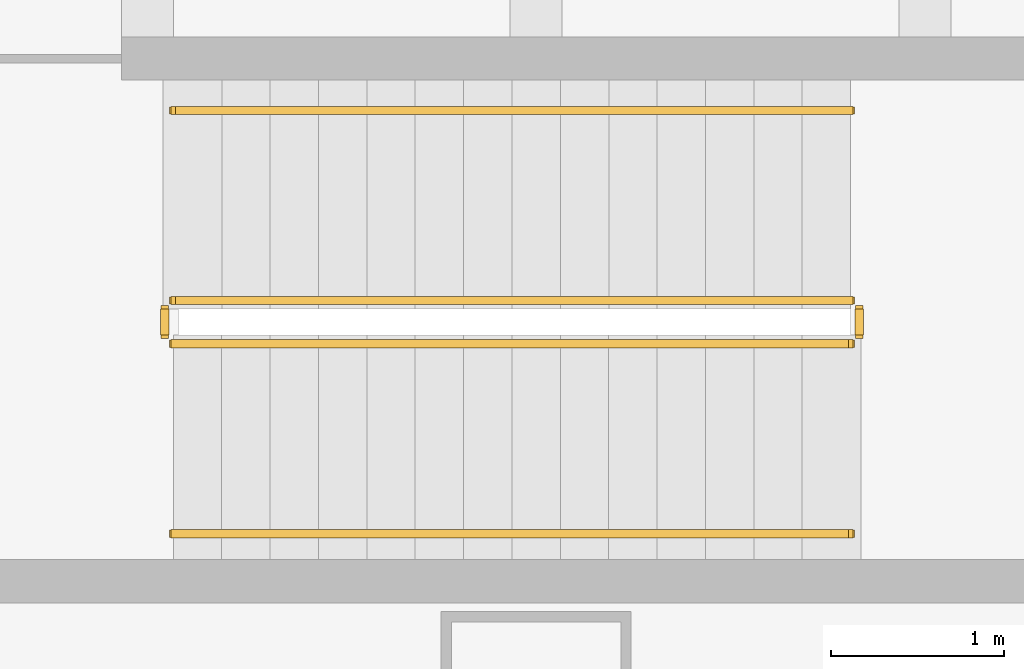
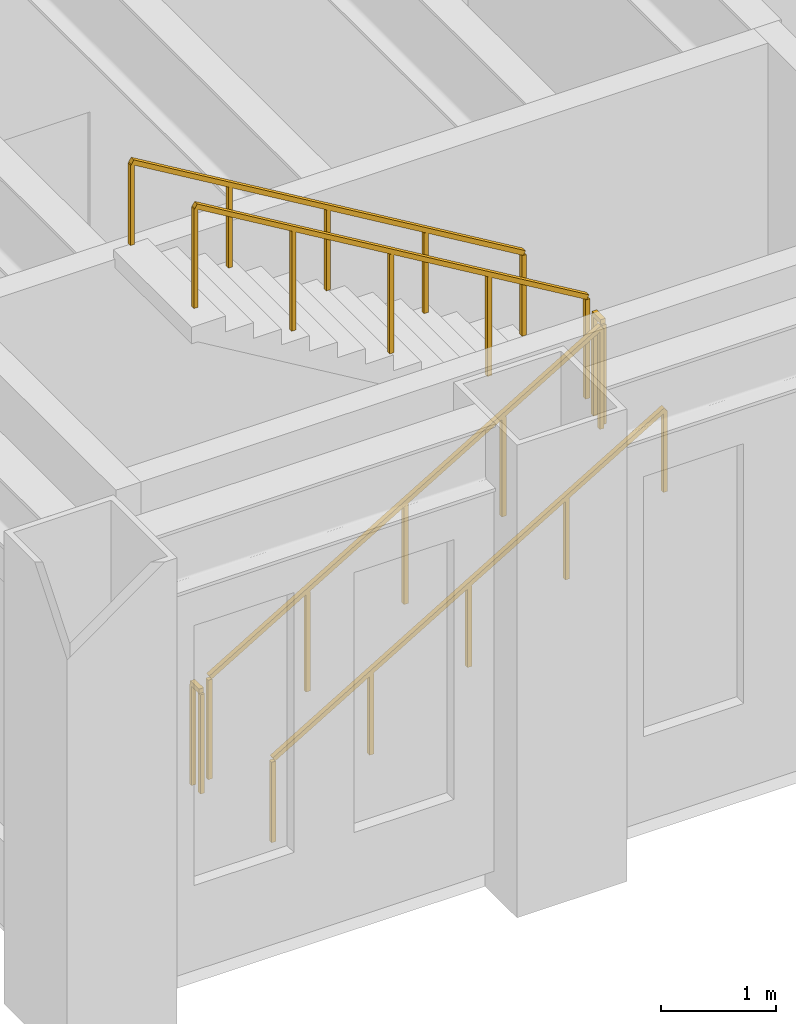
# One storey, part 17 of 19: 6 railings.
"""IFC4 building model written with IfcOpenShell, lengths in metres."""

import ifcopenshell
import ifcopenshell.guid

model = None  # the IFC model being written
_history = None  # IfcOwnerHistory: only IFC2X3 demands one
_inside = {}  # id of a spatial element -> (the spatial element, [elements in it])
_under = {}  # id of a project, library or spatial element -> (it, [spatial elements below it])
_declared = {}  # id of a project -> (the project, [libraries it declares])
_typed = {}  # id of a type object -> (the type object, [elements of that type])
_made_of = {}  # id of a material, layer set ... -> (it, [elements and type objects made of it])


def new_model(schema):
    """Start an empty IFC model of exactly this schema.

    Asked for "IFC4X3", IfcOpenShell would pick the latest addendum, in which some entities
    have other attributes; the version numbers below select the first issue.
    IFC2X3 requires an IfcOwnerHistory on every rooted entity: one is made here for all.
    """
    global model, _history
    if schema == "IFC4X3":
        model = ifcopenshell.file(schema_version=(4, 3, 0, 0))
    else:
        model = ifcopenshell.file(schema=schema)
    _inside.clear()
    _under.clear()
    _declared.clear()
    _typed.clear()
    _made_of.clear()
    _history = None
    if model.schema == "IFC2X3":
        org = make("IfcOrganization", Name="unknown")
        user = make(
            "IfcPersonAndOrganization",
            ThePerson=make("IfcPerson", FamilyName="unknown"),
            TheOrganization=org,
        )
        app = make(
            "IfcApplication",
            ApplicationDeveloper=org,
            Version="unknown",
            ApplicationFullName="unknown",
            ApplicationIdentifier="unknown",
        )
        _history = make(
            "IfcOwnerHistory",
            OwningUser=user,
            OwningApplication=app,
            ChangeAction="ADDED",
            CreationDate=0,
        )
    return model


def make(cls, **values):
    """One entity of the class cls with the attributes given. An attribute that is None is left unset."""
    return model.create_entity(
        cls, **{name: value for name, value in values.items() if value is not None}
    )


def rooted(cls, **values):
    """An entity with a GlobalId (a new one), such as an element, a storey or a relation."""
    return make(cls, GlobalId=ifcopenshell.guid.new(), OwnerHistory=_history, **values)


def si_unit(unit_type, name, prefix=None):
    """IfcSIUnit, for example si_unit("LENGTHUNIT", "METRE", prefix="MILLI")."""
    return make("IfcSIUnit", UnitType=unit_type, Prefix=prefix, Name=name)


def assignment(units):
    """IfcUnitAssignment: the units of a project."""
    return None if units is None else make("IfcUnitAssignment", Units=units)


def point(xyz):
    """IfcCartesianPoint."""
    return None if xyz is None else make("IfcCartesianPoint", Coordinates=xyz)


def direction(xyz):
    """IfcDirection."""
    return None if xyz is None else make("IfcDirection", DirectionRatios=xyz)


def frame(location, z_axis=None, x_axis=None):
    """IfcAxis2Placement3D, a coordinate frame: its origin and axes. An axis left out is left unset."""
    return make(
        "IfcAxis2Placement3D",
        Location=point(location),
        Axis=direction(z_axis),
        RefDirection=direction(x_axis),
    )


def frame_2d(location, x_axis=None):
    """IfcAxis2Placement2D, a coordinate frame in the plane: its origin and x axis."""
    return make(
        "IfcAxis2Placement2D", Location=point(location), RefDirection=direction(x_axis)
    )


def origin():
    """The frame at (0, 0, 0) with its axes left unset."""
    return frame((0.0, 0.0, 0.0))


def origin_2d():
    """The frame at (0, 0) in the plane with its x axis left unset."""
    return frame_2d((0.0, 0.0))


def place(relative_to, where):
    """IfcLocalPlacement: puts the frame where relative to a parent placement (None: the world)."""
    return make(
        "IfcLocalPlacement", PlacementRelTo=relative_to, RelativePlacement=where
    )


def context(
    kind, dimensions, precision=None, world=None, true_north=None, identifier=None
):
    """IfcGeometricRepresentationContext, for example the 3D "Model" context."""
    return make(
        "IfcGeometricRepresentationContext",
        ContextIdentifier=identifier,
        ContextType=kind,
        CoordinateSpaceDimension=dimensions,
        Precision=precision,
        WorldCoordinateSystem=world,
        TrueNorth=true_north,
    )


def subcontext(parent, identifier, kind, view, scale=None):
    """IfcGeometricRepresentationSubContext, for example "Body" below "Model"."""
    return make(
        "IfcGeometricRepresentationSubContext",
        ContextIdentifier=identifier,
        ContextType=kind,
        ParentContext=parent,
        TargetScale=scale,
        TargetView=view,
    )


def project(units=None, contexts=None):
    """IfcProject with its units and contexts."""
    return rooted(
        "IfcProject",
        Name="project",
        RepresentationContexts=contexts,
        UnitsInContext=assignment(units),
    )


def spatial(cls, under=None, at=None, **own):
    """A site, building, storey or space (cls), placed at a placement, below another one or the project."""
    s = rooted(cls, ObjectPlacement=at, **own)
    if under is not None:
        _under.setdefault(under.id(), (under, []))[1].append(s)
    return s


def profile(cls, at=None, kind="AREA", **sizes):
    """A parametric profile (cls). Its sizes go by their IFC names, for example OverallWidth=200.0."""
    return make(cls, ProfileType=kind, Position=at, **sizes)


def rectangle(**sizes):
    """IfcRectangleProfileDef."""
    return profile("IfcRectangleProfileDef", **sizes)


def extrude(swept, where, along, depth):
    """IfcExtrudedAreaSolid: the profile swept, set in the frame where, extruded along a direction by depth."""
    return make(
        "IfcExtrudedAreaSolid",
        SweptArea=swept,
        Position=where,
        ExtrudedDirection=direction(along),
        Depth=depth,
    )


def shape(context_of_items, identifier, shape_type, items):
    """IfcShapeRepresentation: the items that make up one representation, for example the "Body"."""
    return make(
        "IfcShapeRepresentation",
        ContextOfItems=context_of_items,
        RepresentationIdentifier=identifier,
        RepresentationType=shape_type,
        Items=items,
    )


def material(Name=None, Category=None):
    """IfcMaterial."""
    return make("IfcMaterial", Name=Name, Category=Category)


def made_of(thing, what):
    """Note that an element or type object is made of a material, layer set ...; save() writes the relation."""
    if what is not None:
        _made_of.setdefault(what.id(), (what, []))[1].append(thing)
    return thing


def type_object(cls, material=None, **own):
    """A type object (cls), such as IfcWallType, which elements share."""
    return made_of(rooted(cls, **own), material)


def element(
    cls,
    number,
    at=None,
    inside=None,
    cuts=None,
    type_object=None,
    material=None,
    context=None,
    identifier="Body",
    shape_type=None,
    held_by="IfcProductDefinitionShape",
    body=None,
    shapes=None,
    **own,
):
    """One element of the class cls, such as IfcWall. Its Tag is "e" and its number.

    at: its placement. inside: the storey or other place that contains it. cuts: it is an
    opening in that element (IfcRelVoidsElement). A single representation is given by context,
    identifier, shape_type and body (its items); several are given by shapes. held_by: the class
    of the entity that holds the representations. save() writes the other relations.
    """
    e = rooted(cls, Tag="e%d" % number, ObjectPlacement=at, **own)
    if body is not None:
        shapes = [shape(context, identifier, shape_type, body)]
    if shapes is not None:
        e.Representation = make(held_by, Representations=shapes)
    if inside is not None:
        _inside.setdefault(inside.id(), (inside, []))[1].append(e)
    if cuts is not None:
        rooted(
            "IfcRelVoidsElement", RelatingBuildingElement=cuts, RelatedOpeningElement=e
        )
    if type_object is not None:
        _typed.setdefault(type_object.id(), (type_object, []))[1].append(e)
    return made_of(e, material)


def aggregate(whole, parts):
    """IfcRelAggregates: a whole, such as a stair, and the parts it consists of."""
    return rooted("IfcRelAggregates", RelatingObject=whole, RelatedObjects=parts)


def save(model, path):
    """Write the relations noted so far, then the file.

    IfcRelAggregates (storeys below a building ...), IfcRelContainedInSpatialStructure (elements
    in a storey), IfcRelDefinesByType, IfcRelAssociatesMaterial and IfcRelDeclares: one each for
    every whole, place, type object, material and project.
    """
    for whole, parts in _under.values():
        aggregate(whole, parts)
    for where, things in _inside.values():
        rooted(
            "IfcRelContainedInSpatialStructure",
            RelatedElements=things,
            RelatingStructure=where,
        )
    for kind, things in _typed.values():
        rooted("IfcRelDefinesByType", RelatedObjects=things, RelatingType=kind)
    for what, things in _made_of.values():
        rooted("IfcRelAssociatesMaterial", RelatedObjects=things, RelatingMaterial=what)
    for by, libraries in _declared.values():
        rooted("IfcRelDeclares", RelatingContext=by, RelatedDefinitions=libraries)
    model.write(path)


model = new_model("IFC4")

# Units and contexts
model_context = context("Model", 3, precision=1e-05, world=origin(), true_north=direction((0.0, 1.0)))
body_context = subcontext(model_context, "Body", "Model", "MODEL_VIEW")
ifc_project = project(units=[si_unit("LENGTHUNIT", "METRE"), si_unit("AREAUNIT", "SQUARE_METRE"), si_unit("VOLUMEUNIT", "CUBIC_METRE"), si_unit("PLANEANGLEUNIT", "RADIAN"), si_unit("MASSUNIT", "GRAM", prefix="KILO")], contexts=[model_context])

# Site, building, storey
site_placement = place(None, origin())
site = spatial("IfcSite", under=ifc_project, at=site_placement, CompositionType="ELEMENT")
building_placement = place(site_placement, origin())
building = spatial("IfcBuilding", under=site, at=building_placement, Name="Sennacour Bend Tower", CompositionType="ELEMENT")
storey_placement = place(building_placement, frame((0.0, 0.0, 19.0)))
storey = spatial("IfcBuildingStorey", under=building, at=storey_placement, Name="L03", CompositionType="ELEMENT", Elevation=19.0)

# Railings
ifc_material = material(Name="Stainless steel", Category="steel")
railing_type_1 = type_object("IfcRailingType", Name="RL-GUARD-1100", PredefinedType="GUARDRAIL", material=ifc_material)
railing_1_placement = place(storey_placement, frame((2.39990234375, 2.10009765625, 0.166748046875)))
element("IfcRailing", 1, at=railing_1_placement, inside=storey, type_object=railing_type_1, Name="L03 SK1 stair guard 1", PredefinedType="GUARDRAIL", context=body_context, shape_type="SweptSolid", body=[
    extrude(rectangle(XDim=0.048095703125, YDim=0.048095703125, at=origin_2d()), frame((0.0, 0.0, 1.076171875), z_axis=(0.859310244771, 0.0, 0.511454693235), x_axis=(0.0, 1.0, 0.0)), (0.0, 0.0, 1.0), 4.56201171875),
    extrude(rectangle(XDim=0.0419921875, YDim=0.0419921875, at=origin_2d()), origin(), (0.0, 0.0, 1.0), 1.052001953125),
    extrude(rectangle(XDim=0.0419921875, YDim=0.0419921875, at=origin_2d()), frame((0.97998046875, 0.0, 0.583251953125)), (0.0, 0.0, 1.0), 1.052001953125),
    extrude(rectangle(XDim=0.0419921875, YDim=0.0419921875, at=origin_2d()), frame((1.9599609375, 0.0, 1.16650390625)), (0.0, 0.0, 1.0), 1.052001953125),
    extrude(rectangle(XDim=0.0419921875, YDim=0.0419921875, at=origin_2d()), frame((2.940185546875, 0.0, 1.75)), (0.0, 0.0, 1.0), 1.052001953125),
    extrude(rectangle(XDim=0.0419921875, YDim=0.0419921875, at=origin_2d()), frame((3.920166015625, 0.0, 2.333251953125)), (0.0, 0.0, 1.0), 1.052001953125),
])
railing_2_placement = place(storey_placement, frame((6.3701171875, 2.14990234375, 2.5)))
element("IfcRailing", 2, at=railing_2_placement, inside=storey, type_object=railing_type_1, Name="L03 SK1 stair guard 2", PredefinedType="GUARDRAIL", context=body_context, shape_type="SweptSolid", body=[
    extrude(rectangle(XDim=0.048095703125, YDim=0.048095703125, at=origin_2d()), frame((0.0, 0.0, 1.076171875), z_axis=(0.0, 1.0, 0.0), x_axis=(-1.0, 0.0, 0.0)), (0.0, 0.0, 1.0), 0.150146484375),
    extrude(rectangle(XDim=0.0419921875, YDim=0.0419921875, at=origin_2d()), origin(), (0.0, 0.0, 1.0), 1.052001953125),
    extrude(rectangle(XDim=0.0419921875, YDim=0.0419921875, at=origin_2d()), frame((0.0, 0.150146484375, 0.0)), (0.0, 0.0, 1.0), 1.052001953125),
])
railing_3_placement = place(storey_placement, frame((6.320068359375, 2.35009765625, 2.666748046875)))
element("IfcRailing", 3, at=railing_3_placement, inside=storey, type_object=railing_type_1, Name="L03 SK1 stair guard 3", PredefinedType="GUARDRAIL", context=body_context, shape_type="SweptSolid", body=[
    extrude(rectangle(XDim=0.048095703125, YDim=0.048095703125, at=origin_2d()), frame((0.0, 0.0, 1.076171875), z_axis=(-0.859310244771, 0.0, 0.511454693235), x_axis=(0.0, -1.0, 0.0)), (0.0, 0.0, 1.0), 4.56201171875),
    extrude(rectangle(XDim=0.0419921875, YDim=0.0419921875, at=origin_2d()), origin(), (0.0, 0.0, 1.0), 1.052001953125),
    extrude(rectangle(XDim=0.0419921875, YDim=0.0419921875, at=origin_2d()), frame((-0.97998046875, 0.0, 0.583251953125)), (0.0, 0.0, 1.0), 1.052001953125),
    extrude(rectangle(XDim=0.0419921875, YDim=0.0419921875, at=origin_2d()), frame((-1.9599609375, 0.0, 1.16650390625)), (0.0, 0.0, 1.0), 1.052001953125),
    extrude(rectangle(XDim=0.0419921875, YDim=0.0419921875, at=origin_2d()), frame((-2.940185546875, 0.0, 1.75)), (0.0, 0.0, 1.0), 1.052001953125),
    extrude(rectangle(XDim=0.0419921875, YDim=0.0419921875, at=origin_2d()), frame((-3.920166015625, 0.0, 2.333251953125)), (0.0, 0.0, 1.0), 1.052001953125),
])
railing_4_placement = place(storey_placement, frame((2.35009765625, 2.14990234375, 0.0)))
element("IfcRailing", 4, at=railing_4_placement, inside=storey, type_object=railing_type_1, Name="L03 SK1 stair guard 4", PredefinedType="GUARDRAIL", context=body_context, shape_type="SweptSolid", body=[
    extrude(rectangle(XDim=0.048095703125, YDim=0.048095703125, at=origin_2d()), frame((0.0, 0.0, 1.076171875), z_axis=(0.0, 1.0, 0.0), x_axis=(-1.0, 0.0, 0.0)), (0.0, 0.0, 1.0), 0.150146484375),
    extrude(rectangle(XDim=0.0419921875, YDim=0.0419921875, at=origin_2d()), origin(), (0.0, 0.0, 1.0), 1.052001953125),
    extrude(rectangle(XDim=0.0419921875, YDim=0.0419921875, at=origin_2d()), frame((0.0, 0.150146484375, 0.0)), (0.0, 0.0, 1.0), 1.052001953125),
])
railing_type_2 = type_object("IfcRailingType", Name="RL-HANDRAIL-900", PredefinedType="HANDRAIL", material=ifc_material)
railing_5_placement = place(storey_placement, frame((2.39990234375, 1.0, 0.166748046875)))
element("IfcRailing", 5, at=railing_5_placement, inside=storey, type_object=railing_type_2, Name="L03 SK1 stair handrail 1", PredefinedType="HANDRAIL", context=body_context, shape_type="SweptSolid", body=[
    extrude(rectangle(XDim=0.048095703125, YDim=0.048095703125, at=origin_2d()), frame((0.0, 0.0, 0.8759765625), z_axis=(0.859310244771, 0.0, 0.511454693235), x_axis=(0.0, 1.0, 0.0)), (0.0, 0.0, 1.0), 4.56201171875),
    extrude(rectangle(XDim=0.0419921875, YDim=0.0419921875, at=origin_2d()), origin(), (0.0, 0.0, 1.0), 0.851806640625),
    extrude(rectangle(XDim=0.0419921875, YDim=0.0419921875, at=origin_2d()), frame((0.97998046875, 0.0, 0.583251953125)), (0.0, 0.0, 1.0), 0.851806640625),
    extrude(rectangle(XDim=0.0419921875, YDim=0.0419921875, at=origin_2d()), frame((1.9599609375, 0.0, 1.16650390625)), (0.0, 0.0, 1.0), 0.851806640625),
    extrude(rectangle(XDim=0.0419921875, YDim=0.0419921875, at=origin_2d()), frame((2.940185546875, 0.0, 1.75)), (0.0, 0.0, 1.0), 0.851806640625),
    extrude(rectangle(XDim=0.0419921875, YDim=0.0419921875, at=origin_2d()), frame((3.920166015625, 0.0, 2.333251953125)), (0.0, 0.0, 1.0), 0.851806640625),
])
railing_6_placement = place(storey_placement, frame((6.320068359375, 3.449951171875, 2.666748046875)))
element("IfcRailing", 6, at=railing_6_placement, inside=storey, type_object=railing_type_2, Name="L03 SK1 stair handrail 2", PredefinedType="HANDRAIL", context=body_context, shape_type="SweptSolid", body=[
    extrude(rectangle(XDim=0.048095703125, YDim=0.048095703125, at=origin_2d()), frame((0.0, 0.0, 0.8759765625), z_axis=(-0.859310244771, 0.0, 0.511454693235), x_axis=(0.0, -1.0, 0.0)), (0.0, 0.0, 1.0), 4.56201171875),
    extrude(rectangle(XDim=0.0419921875, YDim=0.0419921875, at=origin_2d()), origin(), (0.0, 0.0, 1.0), 0.851806640625),
    extrude(rectangle(XDim=0.0419921875, YDim=0.0419921875, at=origin_2d()), frame((-0.97998046875, 0.0, 0.583251953125)), (0.0, 0.0, 1.0), 0.851806640625),
    extrude(rectangle(XDim=0.0419921875, YDim=0.0419921875, at=origin_2d()), frame((-1.9599609375, 0.0, 1.16650390625)), (0.0, 0.0, 1.0), 0.851806640625),
    extrude(rectangle(XDim=0.0419921875, YDim=0.0419921875, at=origin_2d()), frame((-2.940185546875, 0.0, 1.75)), (0.0, 0.0, 1.0), 0.851806640625),
    extrude(rectangle(XDim=0.0419921875, YDim=0.0419921875, at=origin_2d()), frame((-3.920166015625, 0.0, 2.333251953125)), (0.0, 0.0, 1.0), 0.851806640625),
])

save(model, "model.ifc")
